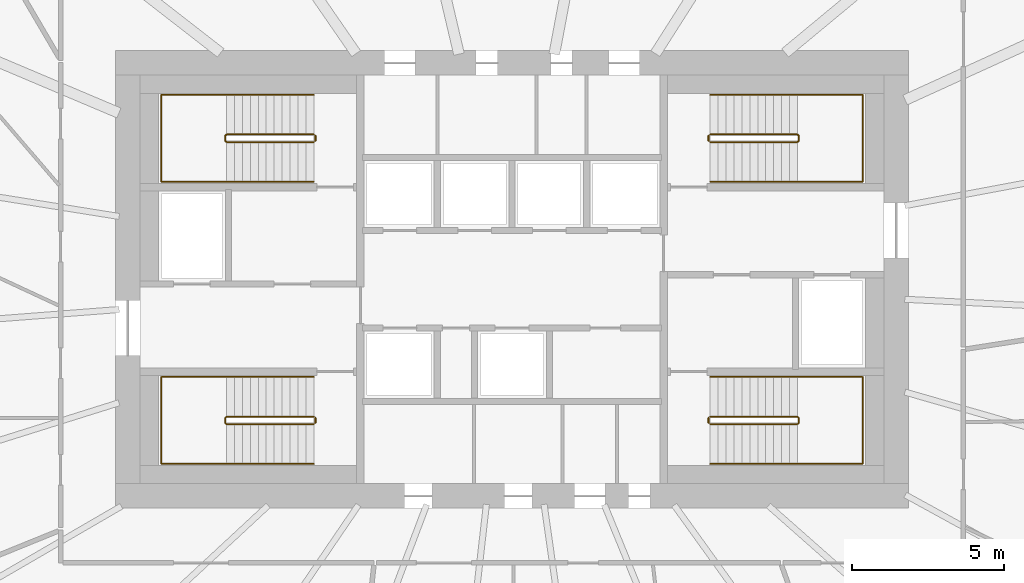
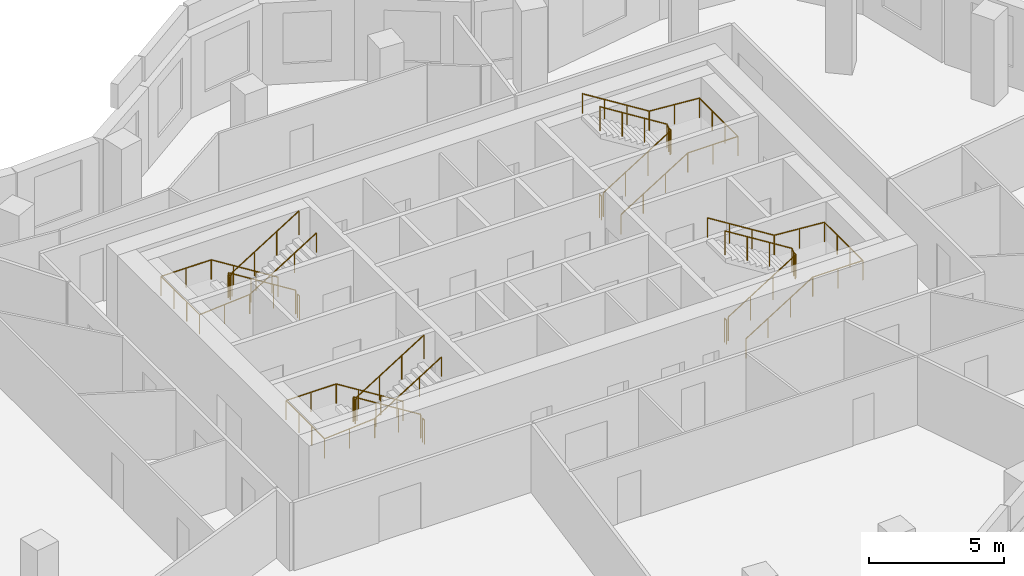
# One storey, part 9 of 9: 12 railings.
"""IFC4 building model written with IfcOpenShell, lengths in metres."""

from ifc_helpers import new_model, si_unit, direction, frame, origin, origin_2d, place, context, subcontext, project, spatial, circle, extrude, material, type_object, element, save


model = new_model("IFC4")

# Units and contexts
model_context = context("Model", 3, precision=1e-05, world=origin(), true_north=direction((0.0, 1.0)))
body_context = subcontext(model_context, "Body", "Model", "MODEL_VIEW")
ifc_project = project(units=[si_unit("LENGTHUNIT", "METRE"), si_unit("AREAUNIT", "SQUARE_METRE"), si_unit("VOLUMEUNIT", "CUBIC_METRE"), si_unit("PLANEANGLEUNIT", "RADIAN"), si_unit("MASSUNIT", "GRAM", prefix="KILO")], contexts=[model_context])

# Site, building, storey
site_placement = place(None, origin())
site = spatial("IfcSite", under=ifc_project, at=site_placement, CompositionType="ELEMENT")
building_placement = place(site_placement, origin())
building = spatial("IfcBuilding", under=site, at=building_placement, Name="Rubra Terraces Tower", CompositionType="ELEMENT")
storey_placement = place(building_placement, frame((0.0, 0.0, 248.699951171875)))
storey = spatial("IfcBuildingStorey", under=building, at=storey_placement, Name="L61", CompositionType="ELEMENT", Elevation=248.699951171875)

# Railings
ifc_material = material(Name="Stainless steel", Category="steel")
railing_type_1 = type_object("IfcRailingType", Name="Core stair guard 1100", PredefinedType="GUARDRAIL", material=ifc_material)
railing_1_placement = place(storey_placement, frame((-6.5, 0.0, 0.16259765625)))
element("IfcRailing", 1, at=railing_1_placement, inside=storey, type_object=railing_type_1, Name="L61 stair S1 guard 1", PredefinedType="GUARDRAIL", context=body_context, shape_type="SweptSolid", body=[
    extrude(circle(Radius=0.02392578125, at=origin_2d()), frame((0.0, 0.0, 1.076171875), z_axis=(-0.848026770018, 0.0, 0.529953391661), x_axis=(0.0, -1.0, 0.0)), (0.0, 0.0, 1.0), 3.37255859375),
    extrude(circle(Radius=0.02392578125, at=origin_2d()), frame((-2.860107421875, 0.0, 2.86328125), z_axis=(-0.705375805398, -0.708833529934, 0.0), x_axis=(0.708833529934, -0.705375805398, 0.0)), (0.0, 0.0, 1.0), 0.070556640625),
    extrude(circle(Radius=0.02392578125, at=origin_2d()), frame((-2.909912109375, -0.050048828125, 2.86328125), z_axis=(0.0, -1.0, 0.0), x_axis=(1.0, 0.0, 0.0)), (0.0, 0.0, 1.0), 0.14990234375),
    extrude(circle(Radius=0.02392578125, at=origin_2d()), frame((-2.909912109375, -0.199951171875, 2.86328125), z_axis=(0.280959487676, -0.282336740067, 0.917250092119), x_axis=(0.708833529934, 0.705375805398, 0.0)), (0.0, 0.0, 1.0), 0.17724609375),
    extrude(circle(Radius=0.02392578125, at=origin_2d()), frame((-2.860107421875, -0.25, 3.02587890625), z_axis=(0.847994237388, 0.0, 0.530005446535), x_axis=(0.0, 1.0, 0.0)), (0.0, 0.0, 1.0), 3.372802734375),
    extrude(circle(Radius=0.02099609375, at=origin_2d()), origin(), (0.0, 0.0, 1.0), 1.052001953125),
    extrude(circle(Radius=0.02099609375, at=origin_2d()), frame((-0.953369140625, 0.0, 0.595703125)), (0.0, 0.0, 1.0), 1.052001953125),
    extrude(circle(Radius=0.02099609375, at=origin_2d()), frame((-1.90673828125, 0.0, 1.191650390625)), (0.0, 0.0, 1.0), 1.052001953125),
    extrude(circle(Radius=0.02099609375, at=origin_2d()), frame((-2.860107421875, 0.0, 1.787353515625)), (0.0, 0.0, 1.0), 1.052001953125),
    extrude(circle(Radius=0.02099609375, at=origin_2d()), frame((-2.909912109375, -0.050048828125, 1.787353515625)), (0.0, 0.0, 1.0), 1.052001953125),
    extrude(circle(Radius=0.02099609375, at=origin_2d()), frame((-2.909912109375, -0.199951171875, 1.787353515625)), (0.0, 0.0, 1.0), 1.052001953125),
    extrude(circle(Radius=0.02099609375, at=origin_2d()), frame((-2.860107421875, -0.25, 1.949951171875)), (0.0, 0.0, 1.0), 1.052001953125),
    extrude(circle(Radius=0.02099609375, at=origin_2d()), frame((-1.90673828125, -0.25, 2.5458984375)), (0.0, 0.0, 1.0), 1.052001953125),
    extrude(circle(Radius=0.02099609375, at=origin_2d()), frame((-0.953369140625, -0.25, 3.1416015625)), (0.0, 0.0, 1.0), 1.052001953125),
    extrude(circle(Radius=0.02099609375, at=origin_2d()), frame((0.0, -0.25, 3.737548828125)), (0.0, 0.0, 1.0), 1.052001953125),
])
railing_2_placement = place(storey_placement, frame((-6.449951171875, -0.050048828125, 0.0)))
element("IfcRailing", 2, at=railing_2_placement, inside=storey, type_object=railing_type_1, Name="L61 stair S1 guard 2", PredefinedType="GUARDRAIL", context=body_context, shape_type="SweptSolid", body=[
    extrude(circle(Radius=0.02392578125, at=origin_2d()), frame((0.0, 0.0, 1.076171875), z_axis=(0.0, -1.0, 0.0), x_axis=(1.0, 0.0, 0.0)), (0.0, 0.0, 1.0), 0.14990234375),
    extrude(circle(Radius=0.02099609375, at=origin_2d()), origin(), (0.0, 0.0, 1.0), 1.052001953125),
    extrude(circle(Radius=0.02099609375, at=origin_2d()), frame((0.0, -0.14990234375, 0.0)), (0.0, 0.0, 1.0), 1.052001953125),
])
railing_3_placement = place(storey_placement, frame((-6.5, 9.25, 0.16259765625)))
element("IfcRailing", 3, at=railing_3_placement, inside=storey, type_object=railing_type_1, Name="L61 stair S2 guard 1", PredefinedType="GUARDRAIL", context=body_context, shape_type="SweptSolid", body=[
    extrude(circle(Radius=0.02392578125, at=origin_2d()), frame((0.0, 0.0, 1.076171875), z_axis=(-0.848026770018, 0.0, 0.529953391661), x_axis=(0.0, -1.0, 0.0)), (0.0, 0.0, 1.0), 3.37255859375),
    extrude(circle(Radius=0.02392578125, at=origin_2d()), frame((-2.860107421875, 0.0, 2.86328125), z_axis=(-0.705375805398, -0.708833529934, 0.0), x_axis=(0.708833529934, -0.705375805398, 0.0)), (0.0, 0.0, 1.0), 0.070556640625),
    extrude(circle(Radius=0.02392578125, at=origin_2d()), frame((-2.909912109375, -0.050048828125, 2.86328125), z_axis=(0.0, -1.0, 0.0), x_axis=(1.0, 0.0, 0.0)), (0.0, 0.0, 1.0), 0.14990234375),
    extrude(circle(Radius=0.02392578125, at=origin_2d()), frame((-2.909912109375, -0.199951171875, 2.86328125), z_axis=(0.280959487676, -0.282336740067, 0.917250092119), x_axis=(0.708833529934, 0.705375805398, 0.0)), (0.0, 0.0, 1.0), 0.17724609375),
    extrude(circle(Radius=0.02392578125, at=origin_2d()), frame((-2.860107421875, -0.25, 3.02587890625), z_axis=(0.847994237388, 0.0, 0.530005446535), x_axis=(0.0, 1.0, 0.0)), (0.0, 0.0, 1.0), 3.372802734375),
    extrude(circle(Radius=0.02099609375, at=origin_2d()), origin(), (0.0, 0.0, 1.0), 1.052001953125),
    extrude(circle(Radius=0.02099609375, at=origin_2d()), frame((-0.953369140625, 0.0, 0.595703125)), (0.0, 0.0, 1.0), 1.052001953125),
    extrude(circle(Radius=0.02099609375, at=origin_2d()), frame((-1.90673828125, 0.0, 1.191650390625)), (0.0, 0.0, 1.0), 1.052001953125),
    extrude(circle(Radius=0.02099609375, at=origin_2d()), frame((-2.860107421875, 0.0, 1.787353515625)), (0.0, 0.0, 1.0), 1.052001953125),
    extrude(circle(Radius=0.02099609375, at=origin_2d()), frame((-2.909912109375, -0.050048828125, 1.787353515625)), (0.0, 0.0, 1.0), 1.052001953125),
    extrude(circle(Radius=0.02099609375, at=origin_2d()), frame((-2.909912109375, -0.199951171875, 1.787353515625)), (0.0, 0.0, 1.0), 1.052001953125),
    extrude(circle(Radius=0.02099609375, at=origin_2d()), frame((-2.860107421875, -0.25, 1.949951171875)), (0.0, 0.0, 1.0), 1.052001953125),
    extrude(circle(Radius=0.02099609375, at=origin_2d()), frame((-1.90673828125, -0.25, 2.5458984375)), (0.0, 0.0, 1.0), 1.052001953125),
    extrude(circle(Radius=0.02099609375, at=origin_2d()), frame((-0.953369140625, -0.25, 3.1416015625)), (0.0, 0.0, 1.0), 1.052001953125),
    extrude(circle(Radius=0.02099609375, at=origin_2d()), frame((0.0, -0.25, 3.737548828125)), (0.0, 0.0, 1.0), 1.052001953125),
])
railing_4_placement = place(storey_placement, frame((-6.449951171875, 9.199951171875, 0.0)))
element("IfcRailing", 4, at=railing_4_placement, inside=storey, type_object=railing_type_1, Name="L61 stair S2 guard 2", PredefinedType="GUARDRAIL", context=body_context, shape_type="SweptSolid", body=[
    extrude(circle(Radius=0.02392578125, at=origin_2d()), frame((0.0, 0.0, 1.076171875), z_axis=(0.0, -1.0, 0.0), x_axis=(1.0, 0.0, 0.0)), (0.0, 0.0, 1.0), 0.14990234375),
    extrude(circle(Radius=0.02099609375, at=origin_2d()), origin(), (0.0, 0.0, 1.0), 1.052001953125),
    extrude(circle(Radius=0.02099609375, at=origin_2d()), frame((0.0, -0.14990234375, 0.0)), (0.0, 0.0, 1.0), 1.052001953125),
])
railing_5_placement = place(storey_placement, frame((6.5, 9.0, 0.16259765625)))
element("IfcRailing", 5, at=railing_5_placement, inside=storey, type_object=railing_type_1, Name="L61 stair S3 guard 1", PredefinedType="GUARDRAIL", context=body_context, shape_type="SweptSolid", body=[
    extrude(circle(Radius=0.02392578125, at=origin_2d()), frame((0.0, 0.0, 1.076171875), z_axis=(0.848026770018, 0.0, 0.529953391661), x_axis=(0.0, 1.0, 0.0)), (0.0, 0.0, 1.0), 3.37255859375),
    extrude(circle(Radius=0.02392578125, at=origin_2d()), frame((2.860107421875, 0.0, 2.86328125), z_axis=(0.705375805398, 0.708833529934, 0.0), x_axis=(-0.708833529934, 0.705375805398, 0.0)), (0.0, 0.0, 1.0), 0.070556640625),
    extrude(circle(Radius=0.02392578125, at=origin_2d()), frame((2.909912109375, 0.050048828125, 2.86328125), z_axis=(0.0, 1.0, 0.0), x_axis=(-1.0, 0.0, 0.0)), (0.0, 0.0, 1.0), 0.14990234375),
    extrude(circle(Radius=0.02392578125, at=origin_2d()), frame((2.909912109375, 0.199951171875, 2.86328125), z_axis=(-0.280959487676, 0.282336740067, 0.917250092119), x_axis=(-0.708833529934, -0.705375805398, 0.0)), (0.0, 0.0, 1.0), 0.17724609375),
    extrude(circle(Radius=0.02392578125, at=origin_2d()), frame((2.860107421875, 0.25, 3.02587890625), z_axis=(-0.847994237388, 0.0, 0.530005446535), x_axis=(0.0, -1.0, 0.0)), (0.0, 0.0, 1.0), 3.372802734375),
    extrude(circle(Radius=0.02099609375, at=origin_2d()), origin(), (0.0, 0.0, 1.0), 1.052001953125),
    extrude(circle(Radius=0.02099609375, at=origin_2d()), frame((0.953369140625, 0.0, 0.595703125)), (0.0, 0.0, 1.0), 1.052001953125),
    extrude(circle(Radius=0.02099609375, at=origin_2d()), frame((1.90673828125, 0.0, 1.191650390625)), (0.0, 0.0, 1.0), 1.052001953125),
    extrude(circle(Radius=0.02099609375, at=origin_2d()), frame((2.860107421875, 0.0, 1.787353515625)), (0.0, 0.0, 1.0), 1.052001953125),
    extrude(circle(Radius=0.02099609375, at=origin_2d()), frame((2.909912109375, 0.050048828125, 1.787353515625)), (0.0, 0.0, 1.0), 1.052001953125),
    extrude(circle(Radius=0.02099609375, at=origin_2d()), frame((2.909912109375, 0.199951171875, 1.787353515625)), (0.0, 0.0, 1.0), 1.052001953125),
    extrude(circle(Radius=0.02099609375, at=origin_2d()), frame((2.860107421875, 0.25, 1.949951171875)), (0.0, 0.0, 1.0), 1.052001953125),
    extrude(circle(Radius=0.02099609375, at=origin_2d()), frame((1.90673828125, 0.25, 2.5458984375)), (0.0, 0.0, 1.0), 1.052001953125),
    extrude(circle(Radius=0.02099609375, at=origin_2d()), frame((0.953369140625, 0.25, 3.1416015625)), (0.0, 0.0, 1.0), 1.052001953125),
    extrude(circle(Radius=0.02099609375, at=origin_2d()), frame((0.0, 0.25, 3.737548828125)), (0.0, 0.0, 1.0), 1.052001953125),
])
railing_6_placement = place(storey_placement, frame((6.449951171875, 9.050048828125, 0.0)))
element("IfcRailing", 6, at=railing_6_placement, inside=storey, type_object=railing_type_1, Name="L61 stair S3 guard 2", PredefinedType="GUARDRAIL", context=body_context, shape_type="SweptSolid", body=[
    extrude(circle(Radius=0.02392578125, at=origin_2d()), frame((0.0, 0.0, 1.076171875), z_axis=(0.0, 1.0, 0.0), x_axis=(-1.0, 0.0, 0.0)), (0.0, 0.0, 1.0), 0.14990234375),
    extrude(circle(Radius=0.02099609375, at=origin_2d()), origin(), (0.0, 0.0, 1.0), 1.052001953125),
    extrude(circle(Radius=0.02099609375, at=origin_2d()), frame((0.0, 0.14990234375, 0.0)), (0.0, 0.0, 1.0), 1.052001953125),
])
railing_7_placement = place(storey_placement, frame((6.5, -0.25, 0.16259765625)))
element("IfcRailing", 7, at=railing_7_placement, inside=storey, type_object=railing_type_1, Name="L61 stair S4 guard 1", PredefinedType="GUARDRAIL", context=body_context, shape_type="SweptSolid", body=[
    extrude(circle(Radius=0.02392578125, at=origin_2d()), frame((0.0, 0.0, 1.076171875), z_axis=(0.848026770018, 0.0, 0.529953391661), x_axis=(0.0, 1.0, 0.0)), (0.0, 0.0, 1.0), 3.37255859375),
    extrude(circle(Radius=0.02392578125, at=origin_2d()), frame((2.860107421875, 0.0, 2.86328125), z_axis=(0.705375805398, 0.708833529934, 0.0), x_axis=(-0.708833529934, 0.705375805398, 0.0)), (0.0, 0.0, 1.0), 0.070556640625),
    extrude(circle(Radius=0.02392578125, at=origin_2d()), frame((2.909912109375, 0.050048828125, 2.86328125), z_axis=(0.0, 1.0, 0.0), x_axis=(-1.0, 0.0, 0.0)), (0.0, 0.0, 1.0), 0.14990234375),
    extrude(circle(Radius=0.02392578125, at=origin_2d()), frame((2.909912109375, 0.199951171875, 2.86328125), z_axis=(-0.280959487676, 0.282336740067, 0.917250092119), x_axis=(-0.708833529934, -0.705375805398, 0.0)), (0.0, 0.0, 1.0), 0.17724609375),
    extrude(circle(Radius=0.02392578125, at=origin_2d()), frame((2.860107421875, 0.25, 3.02587890625), z_axis=(-0.847994237388, 0.0, 0.530005446535), x_axis=(0.0, -1.0, 0.0)), (0.0, 0.0, 1.0), 3.372802734375),
    extrude(circle(Radius=0.02099609375, at=origin_2d()), origin(), (0.0, 0.0, 1.0), 1.052001953125),
    extrude(circle(Radius=0.02099609375, at=origin_2d()), frame((0.953369140625, 0.0, 0.595703125)), (0.0, 0.0, 1.0), 1.052001953125),
    extrude(circle(Radius=0.02099609375, at=origin_2d()), frame((1.90673828125, 0.0, 1.191650390625)), (0.0, 0.0, 1.0), 1.052001953125),
    extrude(circle(Radius=0.02099609375, at=origin_2d()), frame((2.860107421875, 0.0, 1.787353515625)), (0.0, 0.0, 1.0), 1.052001953125),
    extrude(circle(Radius=0.02099609375, at=origin_2d()), frame((2.909912109375, 0.050048828125, 1.787353515625)), (0.0, 0.0, 1.0), 1.052001953125),
    extrude(circle(Radius=0.02099609375, at=origin_2d()), frame((2.909912109375, 0.199951171875, 1.787353515625)), (0.0, 0.0, 1.0), 1.052001953125),
    extrude(circle(Radius=0.02099609375, at=origin_2d()), frame((2.860107421875, 0.25, 1.949951171875)), (0.0, 0.0, 1.0), 1.052001953125),
    extrude(circle(Radius=0.02099609375, at=origin_2d()), frame((1.90673828125, 0.25, 2.5458984375)), (0.0, 0.0, 1.0), 1.052001953125),
    extrude(circle(Radius=0.02099609375, at=origin_2d()), frame((0.953369140625, 0.25, 3.1416015625)), (0.0, 0.0, 1.0), 1.052001953125),
    extrude(circle(Radius=0.02099609375, at=origin_2d()), frame((0.0, 0.25, 3.737548828125)), (0.0, 0.0, 1.0), 1.052001953125),
])
railing_8_placement = place(storey_placement, frame((6.449951171875, -0.199951171875, 0.0)))
element("IfcRailing", 8, at=railing_8_placement, inside=storey, type_object=railing_type_1, Name="L61 stair S4 guard 2", PredefinedType="GUARDRAIL", context=body_context, shape_type="SweptSolid", body=[
    extrude(circle(Radius=0.02392578125, at=origin_2d()), frame((0.0, 0.0, 1.076171875), z_axis=(0.0, 1.0, 0.0), x_axis=(-1.0, 0.0, 0.0)), (0.0, 0.0, 1.0), 0.14990234375),
    extrude(circle(Radius=0.02099609375, at=origin_2d()), origin(), (0.0, 0.0, 1.0), 1.052001953125),
    extrude(circle(Radius=0.02099609375, at=origin_2d()), frame((0.0, 0.14990234375, 0.0)), (0.0, 0.0, 1.0), 1.052001953125),
])
railing_type_2 = type_object("IfcRailingType", Name="Core stair handrail 900", PredefinedType="HANDRAIL", material=ifc_material)
railing_9_placement = place(storey_placement, frame((-6.5, 1.300048828125, 0.16259765625)))
element("IfcRailing", 9, at=railing_9_placement, inside=storey, type_object=railing_type_2, Name="L61 stair S1 handrail 1", PredefinedType="HANDRAIL", context=body_context, shape_type="SweptSolid", body=[
    extrude(circle(Radius=0.02392578125, at=origin_2d()), frame((0.0, 0.0, 0.8759765625), z_axis=(-0.848026770018, 0.0, 0.529953391661), x_axis=(0.0, -1.0, 0.0)), (0.0, 0.0, 1.0), 3.37255859375),
    extrude(circle(Radius=0.02392578125, at=origin_2d()), frame((-2.860107421875, 0.0, 2.6630859375), z_axis=(-1.0, 0.0, 0.0), x_axis=(0.0, -1.0, 0.0)), (0.0, 0.0, 1.0), 2.139892578125),
    extrude(circle(Radius=0.02392578125, at=origin_2d()), frame((-5.0, 0.0, 2.6630859375), z_axis=(0.0, -1.0, 0.0), x_axis=(1.0, 0.0, 0.0)), (0.0, 0.0, 1.0), 2.85009765625),
    extrude(circle(Radius=0.02392578125, at=origin_2d()), frame((-5.0, -2.85009765625, 2.6630859375), z_axis=(0.997125654253, 0.0, 0.075765623016), x_axis=(0.0, 1.0, 0.0)), (0.0, 0.0, 1.0), 2.14599609375),
    extrude(circle(Radius=0.02392578125, at=origin_2d()), frame((-2.860107421875, -2.85009765625, 2.82568359375), z_axis=(0.847994237388, 0.0, 0.530005446535), x_axis=(0.0, 1.0, 0.0)), (0.0, 0.0, 1.0), 3.372802734375),
    extrude(circle(Radius=0.02099609375, at=origin_2d()), origin(), (0.0, 0.0, 1.0), 0.851806640625),
    extrude(circle(Radius=0.02099609375, at=origin_2d()), frame((-0.953369140625, 0.0, 0.595703125)), (0.0, 0.0, 1.0), 0.851806640625),
    extrude(circle(Radius=0.02099609375, at=origin_2d()), frame((-1.90673828125, 0.0, 1.191650390625)), (0.0, 0.0, 1.0), 0.851806640625),
    extrude(circle(Radius=0.02099609375, at=origin_2d()), frame((-2.860107421875, 0.0, 1.787353515625)), (0.0, 0.0, 1.0), 0.851806640625),
    extrude(circle(Radius=0.02099609375, at=origin_2d()), frame((-3.93017578125, 0.0, 1.787353515625)), (0.0, 0.0, 1.0), 0.851806640625),
    extrude(circle(Radius=0.02099609375, at=origin_2d()), frame((-5.0, 0.0, 1.787353515625)), (0.0, 0.0, 1.0), 0.851806640625),
    extrude(circle(Radius=0.02099609375, at=origin_2d()), frame((-5.0, -0.949951171875, 1.787353515625)), (0.0, 0.0, 1.0), 0.851806640625),
    extrude(circle(Radius=0.02099609375, at=origin_2d()), frame((-5.0, -1.900146484375, 1.787353515625)), (0.0, 0.0, 1.0), 0.851806640625),
    extrude(circle(Radius=0.02099609375, at=origin_2d()), frame((-5.0, -2.85009765625, 1.787353515625)), (0.0, 0.0, 1.0), 0.851806640625),
    extrude(circle(Radius=0.02099609375, at=origin_2d()), frame((-3.93017578125, -2.85009765625, 1.86865234375)), (0.0, 0.0, 1.0), 0.851806640625),
    extrude(circle(Radius=0.02099609375, at=origin_2d()), frame((-2.860107421875, -2.85009765625, 1.949951171875)), (0.0, 0.0, 1.0), 0.851806640625),
    extrude(circle(Radius=0.02099609375, at=origin_2d()), frame((-1.90673828125, -2.85009765625, 2.5458984375)), (0.0, 0.0, 1.0), 0.851806640625),
    extrude(circle(Radius=0.02099609375, at=origin_2d()), frame((-0.953369140625, -2.85009765625, 3.1416015625)), (0.0, 0.0, 1.0), 0.851806640625),
    extrude(circle(Radius=0.02099609375, at=origin_2d()), frame((0.0, -2.85009765625, 3.737548828125)), (0.0, 0.0, 1.0), 0.851806640625),
])
railing_10_placement = place(storey_placement, frame((-6.5, 10.550048828125, 0.16259765625)))
element("IfcRailing", 10, at=railing_10_placement, inside=storey, type_object=railing_type_2, Name="L61 stair S2 handrail 1", PredefinedType="HANDRAIL", context=body_context, shape_type="SweptSolid", body=[
    extrude(circle(Radius=0.02392578125, at=origin_2d()), frame((0.0, 0.0, 0.8759765625), z_axis=(-0.848026770018, 0.0, 0.529953391661), x_axis=(0.0, -1.0, 0.0)), (0.0, 0.0, 1.0), 3.37255859375),
    extrude(circle(Radius=0.02392578125, at=origin_2d()), frame((-2.860107421875, 0.0, 2.6630859375), z_axis=(-1.0, 0.0, 0.0), x_axis=(0.0, -1.0, 0.0)), (0.0, 0.0, 1.0), 2.139892578125),
    extrude(circle(Radius=0.02392578125, at=origin_2d()), frame((-5.0, 0.0, 2.6630859375), z_axis=(0.0, -1.0, 0.0), x_axis=(1.0, 0.0, 0.0)), (0.0, 0.0, 1.0), 2.85009765625),
    extrude(circle(Radius=0.02392578125, at=origin_2d()), frame((-5.0, -2.85009765625, 2.6630859375), z_axis=(0.997125654253, 0.0, 0.075765623016), x_axis=(0.0, 1.0, 0.0)), (0.0, 0.0, 1.0), 2.14599609375),
    extrude(circle(Radius=0.02392578125, at=origin_2d()), frame((-2.860107421875, -2.85009765625, 2.82568359375), z_axis=(0.847994237388, 0.0, 0.530005446535), x_axis=(0.0, 1.0, 0.0)), (0.0, 0.0, 1.0), 3.372802734375),
    extrude(circle(Radius=0.02099609375, at=origin_2d()), origin(), (0.0, 0.0, 1.0), 0.851806640625),
    extrude(circle(Radius=0.02099609375, at=origin_2d()), frame((-0.953369140625, 0.0, 0.595703125)), (0.0, 0.0, 1.0), 0.851806640625),
    extrude(circle(Radius=0.02099609375, at=origin_2d()), frame((-1.90673828125, 0.0, 1.191650390625)), (0.0, 0.0, 1.0), 0.851806640625),
    extrude(circle(Radius=0.02099609375, at=origin_2d()), frame((-2.860107421875, 0.0, 1.787353515625)), (0.0, 0.0, 1.0), 0.851806640625),
    extrude(circle(Radius=0.02099609375, at=origin_2d()), frame((-3.93017578125, 0.0, 1.787353515625)), (0.0, 0.0, 1.0), 0.851806640625),
    extrude(circle(Radius=0.02099609375, at=origin_2d()), frame((-5.0, 0.0, 1.787353515625)), (0.0, 0.0, 1.0), 0.851806640625),
    extrude(circle(Radius=0.02099609375, at=origin_2d()), frame((-5.0, -0.949951171875, 1.787353515625)), (0.0, 0.0, 1.0), 0.851806640625),
    extrude(circle(Radius=0.02099609375, at=origin_2d()), frame((-5.0, -1.900146484375, 1.787353515625)), (0.0, 0.0, 1.0), 0.851806640625),
    extrude(circle(Radius=0.02099609375, at=origin_2d()), frame((-5.0, -2.85009765625, 1.787353515625)), (0.0, 0.0, 1.0), 0.851806640625),
    extrude(circle(Radius=0.02099609375, at=origin_2d()), frame((-3.93017578125, -2.85009765625, 1.86865234375)), (0.0, 0.0, 1.0), 0.851806640625),
    extrude(circle(Radius=0.02099609375, at=origin_2d()), frame((-2.860107421875, -2.85009765625, 1.949951171875)), (0.0, 0.0, 1.0), 0.851806640625),
    extrude(circle(Radius=0.02099609375, at=origin_2d()), frame((-1.90673828125, -2.85009765625, 2.5458984375)), (0.0, 0.0, 1.0), 0.851806640625),
    extrude(circle(Radius=0.02099609375, at=origin_2d()), frame((-0.953369140625, -2.85009765625, 3.1416015625)), (0.0, 0.0, 1.0), 0.851806640625),
    extrude(circle(Radius=0.02099609375, at=origin_2d()), frame((0.0, -2.85009765625, 3.737548828125)), (0.0, 0.0, 1.0), 0.851806640625),
])
railing_11_placement = place(storey_placement, frame((6.5, 7.699951171875, 0.16259765625)))
element("IfcRailing", 11, at=railing_11_placement, inside=storey, type_object=railing_type_2, Name="L61 stair S3 handrail 1", PredefinedType="HANDRAIL", context=body_context, shape_type="SweptSolid", body=[
    extrude(circle(Radius=0.02392578125, at=origin_2d()), frame((0.0, 0.0, 0.8759765625), z_axis=(0.848026770018, 0.0, 0.529953391661), x_axis=(0.0, 1.0, 0.0)), (0.0, 0.0, 1.0), 3.37255859375),
    extrude(circle(Radius=0.02392578125, at=origin_2d()), frame((2.860107421875, 0.0, 2.6630859375), z_axis=(1.0, 0.0, 0.0), x_axis=(0.0, 1.0, 0.0)), (0.0, 0.0, 1.0), 2.139892578125),
    extrude(circle(Radius=0.02392578125, at=origin_2d()), frame((5.0, 0.0, 2.6630859375), z_axis=(0.0, 1.0, 0.0), x_axis=(-1.0, 0.0, 0.0)), (0.0, 0.0, 1.0), 2.85009765625),
    extrude(circle(Radius=0.02392578125, at=origin_2d()), frame((5.0, 2.85009765625, 2.6630859375), z_axis=(-0.997125654253, 0.0, 0.075765623016), x_axis=(0.0, -1.0, 0.0)), (0.0, 0.0, 1.0), 2.14599609375),
    extrude(circle(Radius=0.02392578125, at=origin_2d()), frame((2.860107421875, 2.85009765625, 2.82568359375), z_axis=(-0.847994237388, 0.0, 0.530005446535), x_axis=(0.0, -1.0, 0.0)), (0.0, 0.0, 1.0), 3.372802734375),
    extrude(circle(Radius=0.02099609375, at=origin_2d()), origin(), (0.0, 0.0, 1.0), 0.851806640625),
    extrude(circle(Radius=0.02099609375, at=origin_2d()), frame((0.953369140625, 0.0, 0.595703125)), (0.0, 0.0, 1.0), 0.851806640625),
    extrude(circle(Radius=0.02099609375, at=origin_2d()), frame((1.90673828125, 0.0, 1.191650390625)), (0.0, 0.0, 1.0), 0.851806640625),
    extrude(circle(Radius=0.02099609375, at=origin_2d()), frame((2.860107421875, 0.0, 1.787353515625)), (0.0, 0.0, 1.0), 0.851806640625),
    extrude(circle(Radius=0.02099609375, at=origin_2d()), frame((3.93017578125, 0.0, 1.787353515625)), (0.0, 0.0, 1.0), 0.851806640625),
    extrude(circle(Radius=0.02099609375, at=origin_2d()), frame((5.0, 0.0, 1.787353515625)), (0.0, 0.0, 1.0), 0.851806640625),
    extrude(circle(Radius=0.02099609375, at=origin_2d()), frame((5.0, 0.949951171875, 1.787353515625)), (0.0, 0.0, 1.0), 0.851806640625),
    extrude(circle(Radius=0.02099609375, at=origin_2d()), frame((5.0, 1.900146484375, 1.787353515625)), (0.0, 0.0, 1.0), 0.851806640625),
    extrude(circle(Radius=0.02099609375, at=origin_2d()), frame((5.0, 2.85009765625, 1.787353515625)), (0.0, 0.0, 1.0), 0.851806640625),
    extrude(circle(Radius=0.02099609375, at=origin_2d()), frame((3.93017578125, 2.85009765625, 1.86865234375)), (0.0, 0.0, 1.0), 0.851806640625),
    extrude(circle(Radius=0.02099609375, at=origin_2d()), frame((2.860107421875, 2.85009765625, 1.949951171875)), (0.0, 0.0, 1.0), 0.851806640625),
    extrude(circle(Radius=0.02099609375, at=origin_2d()), frame((1.90673828125, 2.85009765625, 2.5458984375)), (0.0, 0.0, 1.0), 0.851806640625),
    extrude(circle(Radius=0.02099609375, at=origin_2d()), frame((0.953369140625, 2.85009765625, 3.1416015625)), (0.0, 0.0, 1.0), 0.851806640625),
    extrude(circle(Radius=0.02099609375, at=origin_2d()), frame((0.0, 2.85009765625, 3.737548828125)), (0.0, 0.0, 1.0), 0.851806640625),
])
railing_12_placement = place(storey_placement, frame((6.5, -1.550048828125, 0.16259765625)))
element("IfcRailing", 12, at=railing_12_placement, inside=storey, type_object=railing_type_2, Name="L61 stair S4 handrail 1", PredefinedType="HANDRAIL", context=body_context, shape_type="SweptSolid", body=[
    extrude(circle(Radius=0.02392578125, at=origin_2d()), frame((0.0, 0.0, 0.8759765625), z_axis=(0.848026770018, 0.0, 0.529953391661), x_axis=(0.0, 1.0, 0.0)), (0.0, 0.0, 1.0), 3.37255859375),
    extrude(circle(Radius=0.02392578125, at=origin_2d()), frame((2.860107421875, 0.0, 2.6630859375), z_axis=(1.0, 0.0, 0.0), x_axis=(0.0, 1.0, 0.0)), (0.0, 0.0, 1.0), 2.139892578125),
    extrude(circle(Radius=0.02392578125, at=origin_2d()), frame((5.0, 0.0, 2.6630859375), z_axis=(0.0, 1.0, 0.0), x_axis=(-1.0, 0.0, 0.0)), (0.0, 0.0, 1.0), 2.85009765625),
    extrude(circle(Radius=0.02392578125, at=origin_2d()), frame((5.0, 2.85009765625, 2.6630859375), z_axis=(-0.997125654253, 0.0, 0.075765623016), x_axis=(0.0, -1.0, 0.0)), (0.0, 0.0, 1.0), 2.14599609375),
    extrude(circle(Radius=0.02392578125, at=origin_2d()), frame((2.860107421875, 2.85009765625, 2.82568359375), z_axis=(-0.847994237388, 0.0, 0.530005446535), x_axis=(0.0, -1.0, 0.0)), (0.0, 0.0, 1.0), 3.372802734375),
    extrude(circle(Radius=0.02099609375, at=origin_2d()), origin(), (0.0, 0.0, 1.0), 0.851806640625),
    extrude(circle(Radius=0.02099609375, at=origin_2d()), frame((0.953369140625, 0.0, 0.595703125)), (0.0, 0.0, 1.0), 0.851806640625),
    extrude(circle(Radius=0.02099609375, at=origin_2d()), frame((1.90673828125, 0.0, 1.191650390625)), (0.0, 0.0, 1.0), 0.851806640625),
    extrude(circle(Radius=0.02099609375, at=origin_2d()), frame((2.860107421875, 0.0, 1.787353515625)), (0.0, 0.0, 1.0), 0.851806640625),
    extrude(circle(Radius=0.02099609375, at=origin_2d()), frame((3.93017578125, 0.0, 1.787353515625)), (0.0, 0.0, 1.0), 0.851806640625),
    extrude(circle(Radius=0.02099609375, at=origin_2d()), frame((5.0, 0.0, 1.787353515625)), (0.0, 0.0, 1.0), 0.851806640625),
    extrude(circle(Radius=0.02099609375, at=origin_2d()), frame((5.0, 0.949951171875, 1.787353515625)), (0.0, 0.0, 1.0), 0.851806640625),
    extrude(circle(Radius=0.02099609375, at=origin_2d()), frame((5.0, 1.900146484375, 1.787353515625)), (0.0, 0.0, 1.0), 0.851806640625),
    extrude(circle(Radius=0.02099609375, at=origin_2d()), frame((5.0, 2.85009765625, 1.787353515625)), (0.0, 0.0, 1.0), 0.851806640625),
    extrude(circle(Radius=0.02099609375, at=origin_2d()), frame((3.93017578125, 2.85009765625, 1.86865234375)), (0.0, 0.0, 1.0), 0.851806640625),
    extrude(circle(Radius=0.02099609375, at=origin_2d()), frame((2.860107421875, 2.85009765625, 1.949951171875)), (0.0, 0.0, 1.0), 0.851806640625),
    extrude(circle(Radius=0.02099609375, at=origin_2d()), frame((1.90673828125, 2.85009765625, 2.5458984375)), (0.0, 0.0, 1.0), 0.851806640625),
    extrude(circle(Radius=0.02099609375, at=origin_2d()), frame((0.953369140625, 2.85009765625, 3.1416015625)), (0.0, 0.0, 1.0), 0.851806640625),
    extrude(circle(Radius=0.02099609375, at=origin_2d()), frame((0.0, 2.85009765625, 3.737548828125)), (0.0, 0.0, 1.0), 0.851806640625),
])

save(model, "model.ifc")
